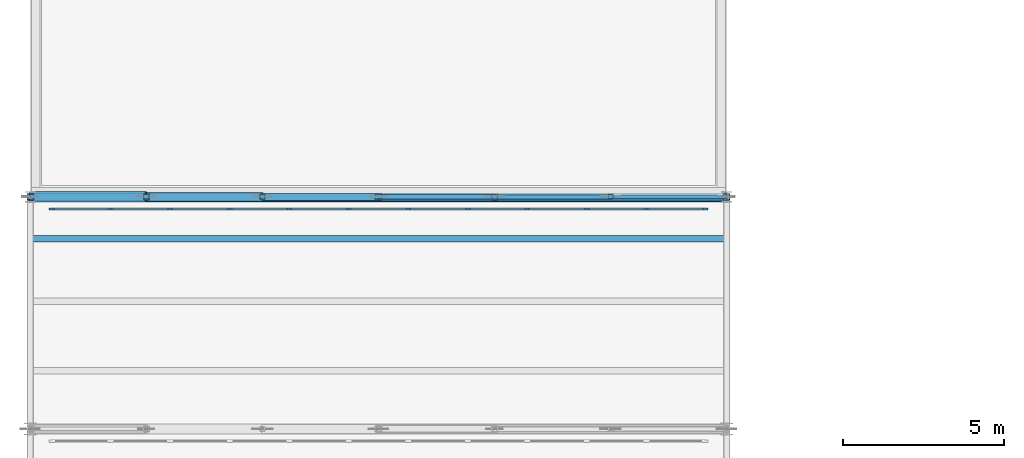
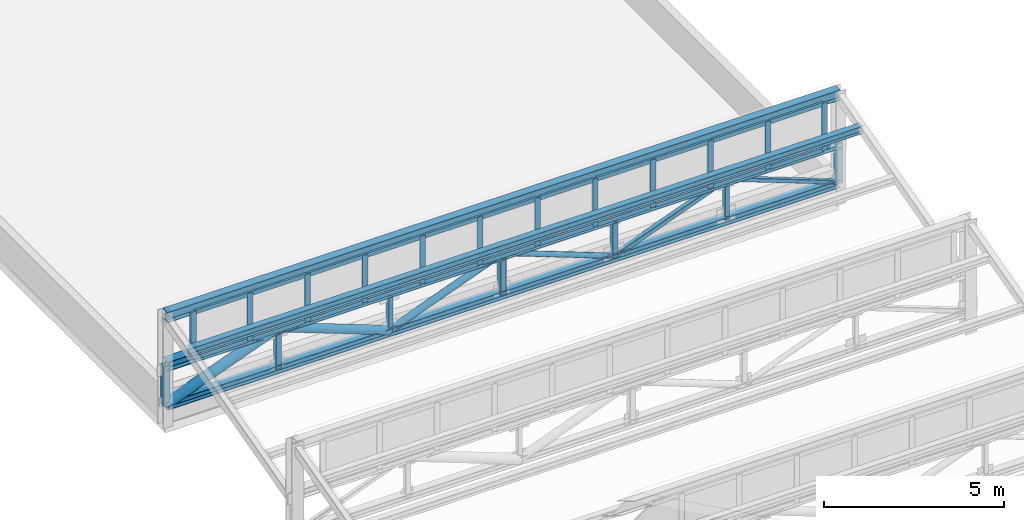
# One storey, part 19 of 55: 49 members, 2 beams, 1 element without a shape of its own.
"""IFC4 building model written with IfcOpenShell, lengths in metres."""

from ifc_helpers import new_model, si_unit, direction, frame, origin, origin_2d, place, context, subcontext, project, spatial, rectangle, hollow_rectangle, hollow_circle, i_section, extrude, material, layer, layer_set, material_profile, profile_set, type_object, element, aggregate, save


model = new_model("IFC4")

# Units and contexts
model_context = context("Model", 3, precision=1e-05, world=origin(), true_north=direction((0.0, 1.0)))
body_context = subcontext(model_context, "Body", "Model", "MODEL_VIEW")
ifc_project = project(units=[si_unit("LENGTHUNIT", "METRE"), si_unit("AREAUNIT", "SQUARE_METRE"), si_unit("VOLUMEUNIT", "CUBIC_METRE"), si_unit("PLANEANGLEUNIT", "RADIAN"), si_unit("MASSUNIT", "GRAM", prefix="KILO")], contexts=[model_context])

# Site, building, storey
site_placement = place(None, origin())
site = spatial("IfcSite", under=ifc_project, at=site_placement, CompositionType="ELEMENT")
building_placement = place(site_placement, origin())
building = spatial("IfcBuilding", under=site, at=building_placement, Name="Solenvale Faculty of Natural Sciences", CompositionType="ELEMENT")
storey_placement = place(building_placement, frame((0.0, 0.0, 22.5)))
storey = spatial("IfcBuildingStorey", under=building, at=storey_placement, Name="L05", CompositionType="ELEMENT", Elevation=22.5)

# Beams
ifc_material_1 = material(Name="Steel S355", Category="steel")
ifc_material_profile_1 = material_profile(ifc_material_1, i_section(OverallWidth=0.202880859375, OverallDepth=0.251953125, WebThickness=0.008056640625, FlangeThickness=0.013427734375, FilletRadius=0.012939453125, at=origin_2d()), Name="W250x58")
ifc_profile_set_1 = profile_set([ifc_material_profile_1], Name="Steel S355")
beam_type_1 = type_object("IfcBeamType", Name="BM-PRL-W250x58", PredefinedType="JOIST", material=ifc_profile_set_1)
beam_1_placement = place(storey_placement, frame((36.0, 63.50390625, 3.294921875), z_axis=(1.0, 0.0, 0.0), x_axis=(0.0, 1.0, 0.0)))
element("IfcBeam", 1, at=beam_1_placement, inside=storey, type_object=beam_type_1, Name="V3 Sawtooth Purlin 7.1.3", PredefinedType="JOIST", context=body_context, shape_type="SweptSolid", body=[
    extrude(i_section(OverallWidth=0.202880859375, OverallDepth=0.251953125, WebThickness=0.008056640625, FlangeThickness=0.013427734375, FilletRadius=0.012939453125, at=origin_2d()), origin(), (0.0, 0.0, 1.0), 21.60009765625),
])
ifc_material_profile_2 = material_profile(ifc_material_1, i_section(OverallWidth=0.2548828125, OverallDepth=0.35693359375, WebThickness=0.010498046875, FlangeThickness=0.018310546875, FilletRadius=0.014892578125, at=origin_2d()), Name="W360x101")
ifc_profile_set_2 = profile_set([ifc_material_profile_2], Name="Steel S355")
beam_type_2 = type_object("IfcBeamType", Name="BM-STL-W360x101", PredefinedType="JOIST", material=ifc_profile_set_2)
beam_2_placement = place(storey_placement, frame((36.0, 64.800048828125, 3.705078125), z_axis=(1.0, 0.0, 0.0), x_axis=(0.0, 1.0, 0.0)))
element("IfcBeam", 2, at=beam_2_placement, inside=storey, type_object=beam_type_2, Name="V3 Sawtooth Clerestory Ridge Beam 7.1", PredefinedType="JOIST", context=body_context, shape_type="SweptSolid", body=[
    extrude(i_section(OverallWidth=0.2548828125, OverallDepth=0.35693359375, WebThickness=0.010498046875, FlangeThickness=0.018310546875, FilletRadius=0.014892578125, at=origin_2d()), origin(), (0.0, 0.0, 1.0), 21.60009765625),
])

# Curtain wall, members
ifc_material_2 = material(Name="Anodised bronze aluminium", Category="aluminium")
ifc_layer = layer(ifc_material_2, 0.1650390625)
ifc_layer_set = layer_set([ifc_layer], Name="Anodised bronze aluminium")
curtain_wall_type = type_object("IfcCurtainWallType", Name="CW-SAW-CLR", PredefinedType="USERDEFINED", material=ifc_layer_set)
curtain_wall_placement = place(storey_placement, origin())
curtain_wall = element("IfcCurtainWall", 3, at=curtain_wall_placement, inside=storey, type_object=curtain_wall_type, Name="L05 Curtain Wall SAW-V3-CW-7-1", ObjectType="NORTH LIGHT CLERESTORY", PredefinedType="USERDEFINED")
ifc_material_profile_3 = material_profile(ifc_material_2, rectangle(XDim=0.06494140625, YDim=0.175048828125, at=origin_2d()), Name="ALU-MUL-65x175")
ifc_profile_set_3 = profile_set([ifc_material_profile_3], Name="Anodised bronze aluminium")
member_type_1 = type_object("IfcMemberType", Name="CWM-ALU-65x175", PredefinedType="MULLION", material=ifc_profile_set_3)
member_1_placement = place(storey_placement, frame((56.927490234375, 64.419921875, 2.22998046875), z_axis=(0.0, 0.0, 1.0), x_axis=(0.0, -1.0, 0.0)))
member_1 = element("IfcMember", 4, at=member_1_placement, type_object=member_type_1, Name="CW-05 mullion 1", PredefinedType="MULLION", context=body_context, shape_type="SweptSolid", body=[
    extrude(rectangle(XDim=0.06494140625, YDim=0.175048828125, at=origin_2d()), origin(), (0.0, 0.0, 1.0), 1.610107421875),
])
member_2_placement = place(storey_placement, frame((55.11279296875, 64.419921875, 2.22998046875), z_axis=(0.0, 0.0, 1.0), x_axis=(0.0, -1.0, 0.0)))
member_2 = element("IfcMember", 5, at=member_2_placement, type_object=member_type_1, Name="CW-05 mullion 2", PredefinedType="MULLION", context=body_context, shape_type="SweptSolid", body=[
    extrude(rectangle(XDim=0.06494140625, YDim=0.175048828125, at=origin_2d()), origin(), (0.0, 0.0, 1.0), 1.610107421875),
])
member_3_placement = place(storey_placement, frame((53.265380859375, 64.419921875, 2.22998046875), z_axis=(0.0, 0.0, 1.0), x_axis=(0.0, -1.0, 0.0)))
member_3 = element("IfcMember", 6, at=member_3_placement, type_object=member_type_1, Name="CW-05 mullion 3", PredefinedType="MULLION", context=body_context, shape_type="SweptSolid", body=[
    extrude(rectangle(XDim=0.06494140625, YDim=0.175048828125, at=origin_2d()), origin(), (0.0, 0.0, 1.0), 1.610107421875),
])
member_4_placement = place(storey_placement, frame((51.418212890625, 64.419921875, 2.22998046875), z_axis=(0.0, 0.0, 1.0), x_axis=(0.0, -1.0, 0.0)))
member_4 = element("IfcMember", 7, at=member_4_placement, type_object=member_type_1, Name="CW-05 mullion 4", PredefinedType="MULLION", context=body_context, shape_type="SweptSolid", body=[
    extrude(rectangle(XDim=0.06494140625, YDim=0.175048828125, at=origin_2d()), origin(), (0.0, 0.0, 1.0), 1.610107421875),
])
member_5_placement = place(storey_placement, frame((49.57080078125, 64.419921875, 2.22998046875), z_axis=(0.0, 0.0, 1.0), x_axis=(0.0, -1.0, 0.0)))
member_5 = element("IfcMember", 8, at=member_5_placement, type_object=member_type_1, Name="CW-05 mullion 5", PredefinedType="MULLION", context=body_context, shape_type="SweptSolid", body=[
    extrude(rectangle(XDim=0.06494140625, YDim=0.175048828125, at=origin_2d()), origin(), (0.0, 0.0, 1.0), 1.610107421875),
])
member_6_placement = place(storey_placement, frame((47.7236328125, 64.419921875, 2.22998046875), z_axis=(0.0, 0.0, 1.0), x_axis=(0.0, -1.0, 0.0)))
member_6 = element("IfcMember", 9, at=member_6_placement, type_object=member_type_1, Name="CW-05 mullion 6", PredefinedType="MULLION", context=body_context, shape_type="SweptSolid", body=[
    extrude(rectangle(XDim=0.06494140625, YDim=0.175048828125, at=origin_2d()), origin(), (0.0, 0.0, 1.0), 1.610107421875),
])
member_7_placement = place(storey_placement, frame((45.87646484375, 64.419921875, 2.22998046875), z_axis=(0.0, 0.0, 1.0), x_axis=(0.0, -1.0, 0.0)))
member_7 = element("IfcMember", 10, at=member_7_placement, type_object=member_type_1, Name="CW-05 mullion 7", PredefinedType="MULLION", context=body_context, shape_type="SweptSolid", body=[
    extrude(rectangle(XDim=0.06494140625, YDim=0.175048828125, at=origin_2d()), origin(), (0.0, 0.0, 1.0), 1.610107421875),
])
member_8_placement = place(storey_placement, frame((44.029052734375, 64.419921875, 2.22998046875), z_axis=(0.0, 0.0, 1.0), x_axis=(0.0, -1.0, 0.0)))
member_8 = element("IfcMember", 11, at=member_8_placement, type_object=member_type_1, Name="CW-05 mullion 8", PredefinedType="MULLION", context=body_context, shape_type="SweptSolid", body=[
    extrude(rectangle(XDim=0.06494140625, YDim=0.175048828125, at=origin_2d()), origin(), (0.0, 0.0, 1.0), 1.610107421875),
])
member_9_placement = place(storey_placement, frame((42.181884765625, 64.419921875, 2.22998046875), z_axis=(0.0, 0.0, 1.0), x_axis=(0.0, -1.0, 0.0)))
member_9 = element("IfcMember", 12, at=member_9_placement, type_object=member_type_1, Name="CW-05 mullion 9", PredefinedType="MULLION", context=body_context, shape_type="SweptSolid", body=[
    extrude(rectangle(XDim=0.06494140625, YDim=0.175048828125, at=origin_2d()), origin(), (0.0, 0.0, 1.0), 1.610107421875),
])
member_10_placement = place(storey_placement, frame((40.33447265625, 64.419921875, 2.22998046875), z_axis=(0.0, 0.0, 1.0), x_axis=(0.0, -1.0, 0.0)))
member_10 = element("IfcMember", 13, at=member_10_placement, type_object=member_type_1, Name="CW-05 mullion 10", PredefinedType="MULLION", context=body_context, shape_type="SweptSolid", body=[
    extrude(rectangle(XDim=0.06494140625, YDim=0.175048828125, at=origin_2d()), origin(), (0.0, 0.0, 1.0), 1.610107421875),
])
member_11_placement = place(storey_placement, frame((38.4873046875, 64.419921875, 2.22998046875), z_axis=(0.0, 0.0, 1.0), x_axis=(0.0, -1.0, 0.0)))
member_11 = element("IfcMember", 14, at=member_11_placement, type_object=member_type_1, Name="CW-05 mullion 11", PredefinedType="MULLION", context=body_context, shape_type="SweptSolid", body=[
    extrude(rectangle(XDim=0.06494140625, YDim=0.175048828125, at=origin_2d()), origin(), (0.0, 0.0, 1.0), 1.610107421875),
])
member_12_placement = place(storey_placement, frame((36.672607421875, 64.419921875, 2.22998046875), z_axis=(0.0, 0.0, 1.0), x_axis=(0.0, -1.0, 0.0)))
member_12 = element("IfcMember", 15, at=member_12_placement, type_object=member_type_1, Name="CW-05 mullion 12", PredefinedType="MULLION", context=body_context, shape_type="SweptSolid", body=[
    extrude(rectangle(XDim=0.06494140625, YDim=0.175048828125, at=origin_2d()), origin(), (0.0, 0.0, 1.0), 1.610107421875),
])
ifc_material_profile_4 = material_profile(ifc_material_2, rectangle(XDim=0.06494140625, YDim=0.135009765625, at=origin_2d()), Name="ALU-TRN-65x135")
ifc_profile_set_4 = profile_set([ifc_material_profile_4], Name="Anodised bronze aluminium")
member_type_2 = type_object("IfcMemberType", Name="CWT-ALU-65x135", PredefinedType="USERDEFINED", material=ifc_profile_set_4)
member_13_placement = place(storey_placement, frame((56.89501953125, 64.419921875, 2.262451171875), z_axis=(-1.0, 0.0, 0.0), x_axis=(0.0, -1.0, 0.0)))
member_13 = element("IfcMember", 16, at=member_13_placement, type_object=member_type_2, Name="CW-05 transom 1.1", ObjectType="TRANSOM", PredefinedType="USERDEFINED", context=body_context, shape_type="SweptSolid", body=[
    extrude(rectangle(XDim=0.06494140625, YDim=0.135009765625, at=origin_2d()), origin(), (0.0, 0.0, 1.0), 1.749755859375),
])
member_14_placement = place(storey_placement, frame((56.89501953125, 64.419921875, 3.8076171875), z_axis=(-1.0, 0.0, 0.0), x_axis=(0.0, -1.0, 0.0)))
member_14 = element("IfcMember", 17, at=member_14_placement, type_object=member_type_2, Name="CW-05 transom 1.2", ObjectType="TRANSOM", PredefinedType="USERDEFINED", context=body_context, shape_type="SweptSolid", body=[
    extrude(rectangle(XDim=0.06494140625, YDim=0.135009765625, at=origin_2d()), origin(), (0.0, 0.0, 1.0), 1.749755859375),
])
member_15_placement = place(storey_placement, frame((55.080322265625, 64.419921875, 2.262451171875), z_axis=(-1.0, 0.0, 0.0), x_axis=(0.0, -1.0, 0.0)))
member_15 = element("IfcMember", 18, at=member_15_placement, type_object=member_type_2, Name="CW-05 transom 2.1", ObjectType="TRANSOM", PredefinedType="USERDEFINED", context=body_context, shape_type="SweptSolid", body=[
    extrude(rectangle(XDim=0.06494140625, YDim=0.135009765625, at=origin_2d()), origin(), (0.0, 0.0, 1.0), 1.782470703125),
])
member_16_placement = place(storey_placement, frame((55.080322265625, 64.419921875, 3.8076171875), z_axis=(-1.0, 0.0, 0.0), x_axis=(0.0, -1.0, 0.0)))
member_16 = element("IfcMember", 19, at=member_16_placement, type_object=member_type_2, Name="CW-05 transom 2.2", ObjectType="TRANSOM", PredefinedType="USERDEFINED", context=body_context, shape_type="SweptSolid", body=[
    extrude(rectangle(XDim=0.06494140625, YDim=0.135009765625, at=origin_2d()), origin(), (0.0, 0.0, 1.0), 1.782470703125),
])
member_17_placement = place(storey_placement, frame((53.23291015625, 64.419921875, 2.262451171875), z_axis=(-1.0, 0.0, 0.0), x_axis=(0.0, -1.0, 0.0)))
member_17 = element("IfcMember", 20, at=member_17_placement, type_object=member_type_2, Name="CW-05 transom 3.1", ObjectType="TRANSOM", PredefinedType="USERDEFINED", context=body_context, shape_type="SweptSolid", body=[
    extrude(rectangle(XDim=0.06494140625, YDim=0.135009765625, at=origin_2d()), origin(), (0.0, 0.0, 1.0), 1.7822265625),
])
member_18_placement = place(storey_placement, frame((53.23291015625, 64.419921875, 3.8076171875), z_axis=(-1.0, 0.0, 0.0), x_axis=(0.0, -1.0, 0.0)))
member_18 = element("IfcMember", 21, at=member_18_placement, type_object=member_type_2, Name="CW-05 transom 3.2", ObjectType="TRANSOM", PredefinedType="USERDEFINED", context=body_context, shape_type="SweptSolid", body=[
    extrude(rectangle(XDim=0.06494140625, YDim=0.135009765625, at=origin_2d()), origin(), (0.0, 0.0, 1.0), 1.7822265625),
])
member_19_placement = place(storey_placement, frame((51.3857421875, 64.419921875, 2.262451171875), z_axis=(-1.0, 0.0, 0.0), x_axis=(0.0, -1.0, 0.0)))
member_19 = element("IfcMember", 22, at=member_19_placement, type_object=member_type_2, Name="CW-05 transom 4.1", ObjectType="TRANSOM", PredefinedType="USERDEFINED", context=body_context, shape_type="SweptSolid", body=[
    extrude(rectangle(XDim=0.06494140625, YDim=0.135009765625, at=origin_2d()), origin(), (0.0, 0.0, 1.0), 1.7822265625),
])
member_20_placement = place(storey_placement, frame((51.3857421875, 64.419921875, 3.8076171875), z_axis=(-1.0, 0.0, 0.0), x_axis=(0.0, -1.0, 0.0)))
member_20 = element("IfcMember", 23, at=member_20_placement, type_object=member_type_2, Name="CW-05 transom 4.2", ObjectType="TRANSOM", PredefinedType="USERDEFINED", context=body_context, shape_type="SweptSolid", body=[
    extrude(rectangle(XDim=0.06494140625, YDim=0.135009765625, at=origin_2d()), origin(), (0.0, 0.0, 1.0), 1.7822265625),
])
member_21_placement = place(storey_placement, frame((49.538330078125, 64.419921875, 2.262451171875), z_axis=(-1.0, 0.0, 0.0), x_axis=(0.0, -1.0, 0.0)))
member_21 = element("IfcMember", 24, at=member_21_placement, type_object=member_type_2, Name="CW-05 transom 5.1", ObjectType="TRANSOM", PredefinedType="USERDEFINED", context=body_context, shape_type="SweptSolid", body=[
    extrude(rectangle(XDim=0.06494140625, YDim=0.135009765625, at=origin_2d()), origin(), (0.0, 0.0, 1.0), 1.7822265625),
])
member_22_placement = place(storey_placement, frame((49.538330078125, 64.419921875, 3.8076171875), z_axis=(-1.0, 0.0, 0.0), x_axis=(0.0, -1.0, 0.0)))
member_22 = element("IfcMember", 25, at=member_22_placement, type_object=member_type_2, Name="CW-05 transom 5.2", ObjectType="TRANSOM", PredefinedType="USERDEFINED", context=body_context, shape_type="SweptSolid", body=[
    extrude(rectangle(XDim=0.06494140625, YDim=0.135009765625, at=origin_2d()), origin(), (0.0, 0.0, 1.0), 1.7822265625),
])
member_23_placement = place(storey_placement, frame((47.691162109375, 64.419921875, 2.262451171875), z_axis=(-1.0, 0.0, 0.0), x_axis=(0.0, -1.0, 0.0)))
member_23 = element("IfcMember", 26, at=member_23_placement, type_object=member_type_2, Name="CW-05 transom 6.1", ObjectType="TRANSOM", PredefinedType="USERDEFINED", context=body_context, shape_type="SweptSolid", body=[
    extrude(rectangle(XDim=0.06494140625, YDim=0.135009765625, at=origin_2d()), origin(), (0.0, 0.0, 1.0), 1.7822265625),
])
member_24_placement = place(storey_placement, frame((47.691162109375, 64.419921875, 3.8076171875), z_axis=(-1.0, 0.0, 0.0), x_axis=(0.0, -1.0, 0.0)))
member_24 = element("IfcMember", 27, at=member_24_placement, type_object=member_type_2, Name="CW-05 transom 6.2", ObjectType="TRANSOM", PredefinedType="USERDEFINED", context=body_context, shape_type="SweptSolid", body=[
    extrude(rectangle(XDim=0.06494140625, YDim=0.135009765625, at=origin_2d()), origin(), (0.0, 0.0, 1.0), 1.7822265625),
])
member_25_placement = place(storey_placement, frame((45.84375, 64.419921875, 2.262451171875), z_axis=(-1.0, 0.0, 0.0), x_axis=(0.0, -1.0, 0.0)))
member_25 = element("IfcMember", 28, at=member_25_placement, type_object=member_type_2, Name="CW-05 transom 7.1", ObjectType="TRANSOM", PredefinedType="USERDEFINED", context=body_context, shape_type="SweptSolid", body=[
    extrude(rectangle(XDim=0.06494140625, YDim=0.135009765625, at=origin_2d()), origin(), (0.0, 0.0, 1.0), 1.7822265625),
])
member_26_placement = place(storey_placement, frame((45.84375, 64.419921875, 3.8076171875), z_axis=(-1.0, 0.0, 0.0), x_axis=(0.0, -1.0, 0.0)))
member_26 = element("IfcMember", 29, at=member_26_placement, type_object=member_type_2, Name="CW-05 transom 7.2", ObjectType="TRANSOM", PredefinedType="USERDEFINED", context=body_context, shape_type="SweptSolid", body=[
    extrude(rectangle(XDim=0.06494140625, YDim=0.135009765625, at=origin_2d()), origin(), (0.0, 0.0, 1.0), 1.7822265625),
])
member_27_placement = place(storey_placement, frame((43.99658203125, 64.419921875, 2.262451171875), z_axis=(-1.0, 0.0, 0.0), x_axis=(0.0, -1.0, 0.0)))
member_27 = element("IfcMember", 30, at=member_27_placement, type_object=member_type_2, Name="CW-05 transom 8.1", ObjectType="TRANSOM", PredefinedType="USERDEFINED", context=body_context, shape_type="SweptSolid", body=[
    extrude(rectangle(XDim=0.06494140625, YDim=0.135009765625, at=origin_2d()), origin(), (0.0, 0.0, 1.0), 1.7822265625),
])
member_28_placement = place(storey_placement, frame((43.99658203125, 64.419921875, 3.8076171875), z_axis=(-1.0, 0.0, 0.0), x_axis=(0.0, -1.0, 0.0)))
member_28 = element("IfcMember", 31, at=member_28_placement, type_object=member_type_2, Name="CW-05 transom 8.2", ObjectType="TRANSOM", PredefinedType="USERDEFINED", context=body_context, shape_type="SweptSolid", body=[
    extrude(rectangle(XDim=0.06494140625, YDim=0.135009765625, at=origin_2d()), origin(), (0.0, 0.0, 1.0), 1.7822265625),
])
member_29_placement = place(storey_placement, frame((42.1494140625, 64.419921875, 2.262451171875), z_axis=(-1.0, 0.0, 0.0), x_axis=(0.0, -1.0, 0.0)))
member_29 = element("IfcMember", 32, at=member_29_placement, type_object=member_type_2, Name="CW-05 transom 9.1", ObjectType="TRANSOM", PredefinedType="USERDEFINED", context=body_context, shape_type="SweptSolid", body=[
    extrude(rectangle(XDim=0.06494140625, YDim=0.135009765625, at=origin_2d()), origin(), (0.0, 0.0, 1.0), 1.782470703125),
])
member_30_placement = place(storey_placement, frame((42.1494140625, 64.419921875, 3.8076171875), z_axis=(-1.0, 0.0, 0.0), x_axis=(0.0, -1.0, 0.0)))
member_30 = element("IfcMember", 33, at=member_30_placement, type_object=member_type_2, Name="CW-05 transom 9.2", ObjectType="TRANSOM", PredefinedType="USERDEFINED", context=body_context, shape_type="SweptSolid", body=[
    extrude(rectangle(XDim=0.06494140625, YDim=0.135009765625, at=origin_2d()), origin(), (0.0, 0.0, 1.0), 1.782470703125),
])
member_31_placement = place(storey_placement, frame((40.302001953125, 64.419921875, 2.262451171875), z_axis=(-1.0, 0.0, 0.0), x_axis=(0.0, -1.0, 0.0)))
member_31 = element("IfcMember", 34, at=member_31_placement, type_object=member_type_2, Name="CW-05 transom 10.1", ObjectType="TRANSOM", PredefinedType="USERDEFINED", context=body_context, shape_type="SweptSolid", body=[
    extrude(rectangle(XDim=0.06494140625, YDim=0.135009765625, at=origin_2d()), origin(), (0.0, 0.0, 1.0), 1.7822265625),
])
member_32_placement = place(storey_placement, frame((40.302001953125, 64.419921875, 3.8076171875), z_axis=(-1.0, 0.0, 0.0), x_axis=(0.0, -1.0, 0.0)))
member_32 = element("IfcMember", 35, at=member_32_placement, type_object=member_type_2, Name="CW-05 transom 10.2", ObjectType="TRANSOM", PredefinedType="USERDEFINED", context=body_context, shape_type="SweptSolid", body=[
    extrude(rectangle(XDim=0.06494140625, YDim=0.135009765625, at=origin_2d()), origin(), (0.0, 0.0, 1.0), 1.7822265625),
])
member_33_placement = place(storey_placement, frame((38.454833984375, 64.419921875, 2.262451171875), z_axis=(-1.0, 0.0, 0.0), x_axis=(0.0, -1.0, 0.0)))
member_33 = element("IfcMember", 36, at=member_33_placement, type_object=member_type_2, Name="CW-05 transom 11.1", ObjectType="TRANSOM", PredefinedType="USERDEFINED", context=body_context, shape_type="SweptSolid", body=[
    extrude(rectangle(XDim=0.06494140625, YDim=0.135009765625, at=origin_2d()), origin(), (0.0, 0.0, 1.0), 1.749755859375),
])
member_34_placement = place(storey_placement, frame((38.454833984375, 64.419921875, 3.8076171875), z_axis=(-1.0, 0.0, 0.0), x_axis=(0.0, -1.0, 0.0)))
member_34 = element("IfcMember", 37, at=member_34_placement, type_object=member_type_2, Name="CW-05 transom 11.2", ObjectType="TRANSOM", PredefinedType="USERDEFINED", context=body_context, shape_type="SweptSolid", body=[
    extrude(rectangle(XDim=0.06494140625, YDim=0.135009765625, at=origin_2d()), origin(), (0.0, 0.0, 1.0), 1.749755859375),
])
aggregate(curtain_wall, [member_1, member_2, member_3, member_4, member_5, member_6, member_7, member_8, member_9, member_10, member_11, member_12, member_13, member_14, member_15, member_16, member_17, member_18, member_19, member_20, member_21, member_22, member_23, member_24, member_25, member_26, member_27, member_28, member_29, member_30, member_31, member_32, member_33, member_34])

# Members
ifc_material_profile_5 = material_profile(ifc_material_1, hollow_circle(Radius=0.084228515625, WallThickness=0.008056640625, at=origin_2d()), Name="HSS168x8.0")
ifc_profile_set_5 = profile_set([ifc_material_profile_5], Name="Steel S355")
member_type_3 = type_object("IfcMemberType", Name="MB-BRC-CHS168", PredefinedType="BRACE", material=ifc_profile_set_5)
member_35_placement = place(storey_placement, frame((46.800048828125, 64.800048828125, 2.050048828125), z_axis=(0.935458110384, 0.0, -0.353437581075), x_axis=(0.0, 1.0, 0.0)))
element("IfcMember", 38, at=member_35_placement, inside=storey, type_object=member_type_3, Name="V3 Truss 7.1 Diagonal 4", PredefinedType="BRACE", context=body_context, shape_type="SweptSolid", body=[
    extrude(hollow_circle(Radius=0.084228515625, WallThickness=0.008056640625, at=origin_2d()), origin(), (0.0, 0.0, 1.0), 3.84814453125),
])
ifc_material_profile_6 = material_profile(ifc_material_1, hollow_circle(Radius=0.109619140625, WallThickness=0.009521484375, at=origin_2d()), Name="HSS219x9.5")
ifc_profile_set_6 = profile_set([ifc_material_profile_6], Name="Steel S355")
member_type_4 = type_object("IfcMemberType", Name="MB-BRC-CHS219", PredefinedType="BRACE", material=ifc_profile_set_6)
member_36_placement = place(storey_placement, frame((43.199951171875, 64.800048828125, 0.68994140625), z_axis=(0.935466034784, 0.0, 0.353416606522), x_axis=(0.0, 1.0, 0.0)))
element("IfcMember", 39, at=member_36_placement, inside=storey, type_object=member_type_4, Name="V3 Truss 7.1 Diagonal 3", PredefinedType="BRACE", context=body_context, shape_type="SweptSolid", body=[
    extrude(hollow_circle(Radius=0.109619140625, WallThickness=0.009521484375, at=origin_2d()), origin(), (0.0, 0.0, 1.0), 3.848388671875),
])
ifc_material_profile_7 = material_profile(ifc_material_1, hollow_circle(Radius=0.136474609375, WallThickness=0.010986328125, at=origin_2d()), Name="HSS273x11")
ifc_profile_set_7 = profile_set([ifc_material_profile_7], Name="Steel S355")
member_type_5 = type_object("IfcMemberType", Name="MB-BRC-CHS273", PredefinedType="BRACE", material=ifc_profile_set_7)
member_37_placement = place(storey_placement, frame((39.60009765625, 64.800048828125, 2.050048828125), z_axis=(0.935458110384, 0.0, -0.353437581075), x_axis=(0.0, 1.0, 0.0)))
element("IfcMember", 40, at=member_37_placement, inside=storey, type_object=member_type_5, Name="V3 Truss 7.1 Diagonal 2", PredefinedType="BRACE", context=body_context, shape_type="SweptSolid", body=[
    extrude(hollow_circle(Radius=0.136474609375, WallThickness=0.010986328125, at=origin_2d()), origin(), (0.0, 0.0, 1.0), 3.84814453125),
])
ifc_material_profile_8 = material_profile(ifc_material_1, hollow_circle(Radius=0.161865234375, WallThickness=0.0126953125, at=origin_2d()), Name="HSS324x13")
ifc_profile_set_8 = profile_set([ifc_material_profile_8], Name="Steel S355")
member_type_6 = type_object("IfcMemberType", Name="MB-BRC-CHS324", PredefinedType="BRACE", material=ifc_profile_set_8)
member_38_placement = place(storey_placement, frame((36.0, 64.800048828125, 0.68994140625), z_axis=(0.935466034784, 0.0, 0.353416606522), x_axis=(0.0, 1.0, 0.0)))
element("IfcMember", 41, at=member_38_placement, inside=storey, type_object=member_type_6, Name="V3 Truss 7.1 Diagonal 1", PredefinedType="BRACE", context=body_context, shape_type="SweptSolid", body=[
    extrude(hollow_circle(Radius=0.161865234375, WallThickness=0.0126953125, at=origin_2d()), origin(), (0.0, 0.0, 1.0), 3.848388671875),
])
ifc_material_profile_9 = material_profile(ifc_material_1, hollow_rectangle(XDim=0.126953125, YDim=0.126953125, WallThickness=0.008056640625, InnerFilletRadius=0.008056640625, OuterFilletRadius=0.01611328125, at=origin_2d()), Name="HSS127x127x8.0")
ifc_profile_set_9 = profile_set([ifc_material_profile_9], Name="Steel S355")
member_type_7 = type_object("IfcMemberType", Name="MB-BRC-HSS127", PredefinedType="BRACE", material=ifc_profile_set_9)
member_39_placement = place(storey_placement, frame((54.0, 64.800048828125, 2.050048828125), z_axis=(0.935466034784, 0.0, -0.353416606522), x_axis=(0.0, 1.0, 0.0)))
element("IfcMember", 42, at=member_39_placement, inside=storey, type_object=member_type_7, Name="V3 Truss 7.1 Diagonal 6", PredefinedType="BRACE", context=body_context, shape_type="SweptSolid", body=[
    extrude(hollow_rectangle(XDim=0.126953125, YDim=0.126953125, WallThickness=0.008056640625, InnerFilletRadius=0.008056640625, OuterFilletRadius=0.01611328125, at=origin_2d()), origin(), (0.0, 0.0, 1.0), 3.848388671875),
])
ifc_material_profile_10 = material_profile(ifc_material_1, hollow_rectangle(XDim=0.152099609375, YDim=0.152099609375, WallThickness=0.009521484375, InnerFilletRadius=0.009521484375, OuterFilletRadius=0.01904296875, at=origin_2d()), Name="HSS152x152x9.5")
ifc_profile_set_10 = profile_set([ifc_material_profile_10], Name="Steel S355")
member_type_8 = type_object("IfcMemberType", Name="MB-BRC-HSS152", PredefinedType="BRACE", material=ifc_profile_set_10)
member_40_placement = place(storey_placement, frame((50.39990234375, 64.800048828125, 0.68994140625), z_axis=(0.935466034784, 0.0, 0.353416606522), x_axis=(0.0, 1.0, 0.0)))
element("IfcMember", 43, at=member_40_placement, inside=storey, type_object=member_type_8, Name="V3 Truss 7.1 Diagonal 5", PredefinedType="BRACE", context=body_context, shape_type="SweptSolid", body=[
    extrude(hollow_rectangle(XDim=0.152099609375, YDim=0.152099609375, WallThickness=0.009521484375, InnerFilletRadius=0.009521484375, OuterFilletRadius=0.01904296875, at=origin_2d()), origin(), (0.0, 0.0, 1.0), 3.848388671875),
])
ifc_material_profile_11 = material_profile(ifc_material_1, i_section(OverallWidth=0.256103515625, OverallDepth=0.260009765625, WebThickness=0.0107421875, FlangeThickness=0.017333984375, FilletRadius=0.012939453125, at=origin_2d()), Name="W250x89")
ifc_profile_set_11 = profile_set([ifc_material_profile_11], Name="Steel S355")
member_type_9 = type_object("IfcMemberType", Name="MB-CHD-W250x89", PredefinedType="CHORD", material=ifc_profile_set_11)
member_41_placement = place(storey_placement, frame((36.0, 64.800048828125, 0.68994140625), z_axis=(1.0, 0.0, 0.0), x_axis=(0.0, 1.0, 0.0)))
element("IfcMember", 44, at=member_41_placement, inside=storey, type_object=member_type_9, Name="V3 Truss 7.1 Bottom Chord", PredefinedType="CHORD", context=body_context, shape_type="SweptSolid", body=[
    extrude(i_section(OverallWidth=0.256103515625, OverallDepth=0.260009765625, WebThickness=0.0107421875, FlangeThickness=0.017333984375, FilletRadius=0.012939453125, at=origin_2d()), origin(), (0.0, 0.0, 1.0), 21.60009765625),
])
ifc_material_profile_12 = material_profile(ifc_material_1, i_section(OverallWidth=0.304931640625, OverallDepth=0.30810546875, WebThickness=0.010009765625, FlangeThickness=0.015380859375, FilletRadius=0.014892578125, at=origin_2d()), Name="W310x97")
ifc_profile_set_12 = profile_set([ifc_material_profile_12], Name="Steel S355")
member_type_10 = type_object("IfcMemberType", Name="MB-CHD-W310x97", PredefinedType="CHORD", material=ifc_profile_set_12)
member_42_placement = place(storey_placement, frame((36.0, 64.800048828125, 2.050048828125), z_axis=(1.0, 0.0, 0.0), x_axis=(0.0, 1.0, 0.0)))
element("IfcMember", 45, at=member_42_placement, inside=storey, type_object=member_type_10, Name="V3 Truss 7.1 Top Chord", PredefinedType="CHORD", context=body_context, shape_type="SweptSolid", body=[
    extrude(i_section(OverallWidth=0.304931640625, OverallDepth=0.30810546875, WebThickness=0.010009765625, FlangeThickness=0.015380859375, FilletRadius=0.014892578125, at=origin_2d()), origin(), (0.0, 0.0, 1.0), 21.60009765625),
])
ifc_material_profile_13 = material_profile(ifc_material_1, hollow_rectangle(XDim=0.152099609375, YDim=0.152099609375, WallThickness=0.009521484375, InnerFilletRadius=0.009521484375, OuterFilletRadius=0.01904296875, at=origin_2d()), Name="HSS152x152x9.5")
ifc_profile_set_13 = profile_set([ifc_material_profile_13], Name="Steel S355")
member_type_11 = type_object("IfcMemberType", Name="MB-STR-HSS152", PredefinedType="STRUT", material=ifc_profile_set_13)
for number, where, z_axis, x_axis, name in (
    (46, (43.199951171875, 64.800048828125, 0.68994140625), (0.0, 0.0, 1.0), (1.0, 0.0, 0.0), "V3 Truss 7.1 Strut 2"),
    (47, (54.0, 64.800048828125, 0.68994140625), (0.0, 0.0, 1.0), (1.0, 0.0, 0.0), "V3 Truss 7.1 Strut 5"),
):
    element("IfcMember", number, at=place(storey_placement, frame(where, z_axis=z_axis, x_axis=x_axis)), inside=storey, type_object=member_type_11, Name=name, PredefinedType="STRUT", context=body_context, shape_type="SweptSolid", body=[
        extrude(hollow_rectangle(XDim=0.152099609375, YDim=0.152099609375, WallThickness=0.009521484375, InnerFilletRadius=0.009521484375, OuterFilletRadius=0.01904296875, at=origin_2d()), origin(), (0.0, 0.0, 1.0), 1.360107421875),
    ])
ifc_material_profile_14 = material_profile(ifc_material_1, hollow_rectangle(XDim=0.177978515625, YDim=0.177978515625, WallThickness=0.009521484375, InnerFilletRadius=0.009521484375, OuterFilletRadius=0.01904296875, at=origin_2d()), Name="HSS178x178x9.5")
ifc_profile_set_14 = profile_set([ifc_material_profile_14], Name="Steel S355")
member_type_12 = type_object("IfcMemberType", Name="MB-STR-HSS178", PredefinedType="STRUT", material=ifc_profile_set_14)
for number, where, z_axis, x_axis, name in (
    (48, (39.60009765625, 64.800048828125, 0.68994140625), (0.0, 0.0, 1.0), (1.0, 0.0, 0.0), "V3 Truss 7.1 Strut 1"),
    (49, (50.39990234375, 64.800048828125, 0.68994140625), (0.0, 0.0, 1.0), (1.0, 0.0, 0.0), "V3 Truss 7.1 Strut 4"),
):
    element("IfcMember", number, at=place(storey_placement, frame(where, z_axis=z_axis, x_axis=x_axis)), inside=storey, type_object=member_type_12, Name=name, PredefinedType="STRUT", context=body_context, shape_type="SweptSolid", body=[
        extrude(hollow_rectangle(XDim=0.177978515625, YDim=0.177978515625, WallThickness=0.009521484375, InnerFilletRadius=0.009521484375, OuterFilletRadius=0.01904296875, at=origin_2d()), origin(), (0.0, 0.0, 1.0), 1.360107421875),
    ])
ifc_material_profile_15 = material_profile(ifc_material_1, hollow_rectangle(XDim=0.202880859375, YDim=0.202880859375, WallThickness=0.0126953125, InnerFilletRadius=0.0126953125, OuterFilletRadius=0.025390625, at=origin_2d()), Name="HSS203x203x13")
ifc_profile_set_15 = profile_set([ifc_material_profile_15], Name="Steel S355")
member_type_13 = type_object("IfcMemberType", Name="MB-STR-HSS203", PredefinedType="STRUT", material=ifc_profile_set_15)
for number, where, z_axis, x_axis, name in (
    (50, (36.0, 64.800048828125, 0.68994140625), (0.0, 0.0, 1.0), (1.0, 0.0, 0.0), "V3 Truss 7.1 Strut 0"),
    (51, (46.800048828125, 64.800048828125, 0.68994140625), (0.0, 0.0, 1.0), (1.0, 0.0, 0.0), "V3 Truss 7.1 Strut 3"),
    (52, (57.60009765625, 64.800048828125, 0.68994140625), (0.0, 0.0, 1.0), (1.0, 0.0, 0.0), "V3 Truss 7.1 Strut 6"),
):
    element("IfcMember", number, at=place(storey_placement, frame(where, z_axis=z_axis, x_axis=x_axis)), inside=storey, type_object=member_type_13, Name=name, PredefinedType="STRUT", context=body_context, shape_type="SweptSolid", body=[
        extrude(hollow_rectangle(XDim=0.202880859375, YDim=0.202880859375, WallThickness=0.0126953125, InnerFilletRadius=0.0126953125, OuterFilletRadius=0.025390625, at=origin_2d()), origin(), (0.0, 0.0, 1.0), 1.360107421875),
    ])

save(model, "model.ifc")
